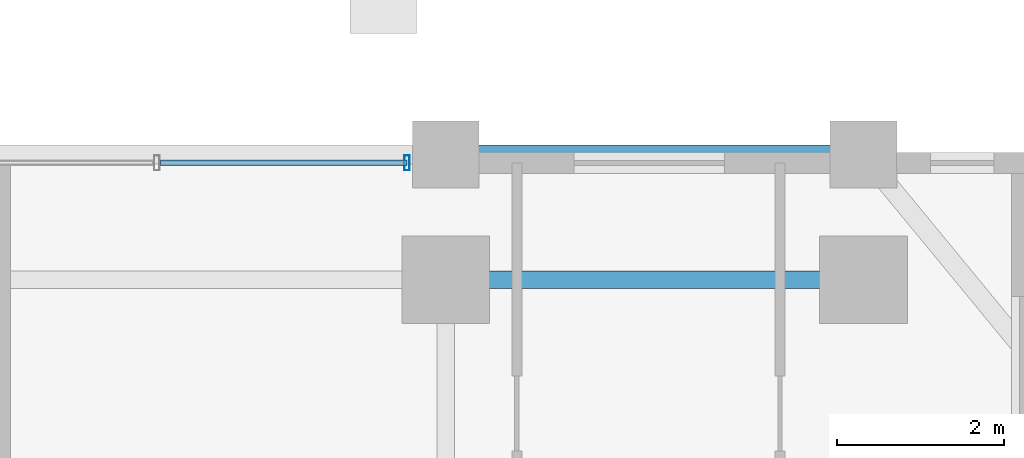
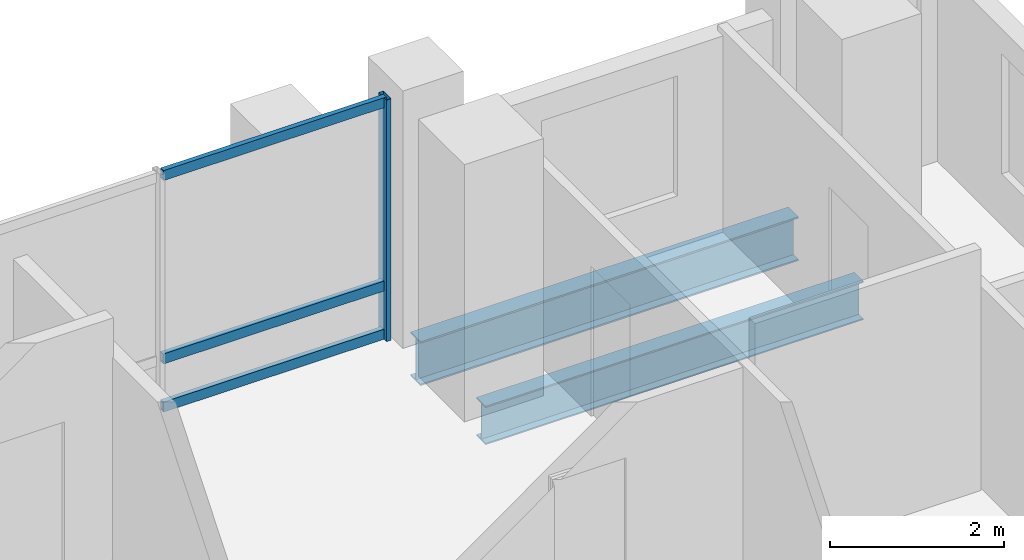
# One storey, part 16 of 24: 4 members, 2 beams, 1 element without a shape of its own.
"""IFC4 building model written with IfcOpenShell, lengths in metres."""

from ifc_helpers import new_model, si_unit, direction, frame, origin, origin_2d, place, context, subcontext, project, spatial, hollow_rectangle, i_section, extrude, material, layer, layer_set, material_profile, profile_set, type_object, element, aggregate, save


model = new_model("IFC4")

# Units and contexts
model_context = context("Model", 3, precision=1e-05, world=origin(), true_north=direction((0.0, 1.0)))
body_context = subcontext(model_context, "Body", "Model", "MODEL_VIEW")
ifc_project = project(units=[si_unit("LENGTHUNIT", "METRE"), si_unit("AREAUNIT", "SQUARE_METRE"), si_unit("VOLUMEUNIT", "CUBIC_METRE"), si_unit("PLANEANGLEUNIT", "RADIAN"), si_unit("MASSUNIT", "GRAM", prefix="KILO")], contexts=[model_context])

# Site, building, storey
site_placement = place(None, origin())
site = spatial("IfcSite", under=ifc_project, at=site_placement, CompositionType="ELEMENT")
building_placement = place(site_placement, origin())
building = spatial("IfcBuilding", under=site, at=building_placement, Name="Barlavira Tower and Art Museum", CompositionType="ELEMENT")
storey_placement = place(building_placement, frame((0.0, 0.0, 169.199951171875)))
storey = spatial("IfcBuildingStorey", under=building, at=storey_placement, Name="L43", CompositionType="ELEMENT", Elevation=169.199951171875)

# Curtain wall, members
ifc_material_1 = material(Name="Low-iron coastal laminated glass", Category="glass")
ifc_layer = layer(ifc_material_1, 0.199951171875, Name="Low-iron coastal laminated glass")
ifc_layer_set = layer_set([ifc_layer], Name="Low-iron coastal laminated glass")
curtain_wall_type = type_object("IfcCurtainWallType", Name="Pale-Metal Unitised Curtain Wall Zone 3", PredefinedType="NOTDEFINED", material=ifc_layer_set)
curtain_wall_placement = place(storey_placement, origin())
curtain_wall = element("IfcCurtainWall", 1, at=curtain_wall_placement, inside=storey, type_object=curtain_wall_type, Name="L43 Curtain Wall CW3-L43-N-B3", PredefinedType="NOTDEFINED")
ifc_material_2 = material(Name="Pale anodised aluminium", Category="aluminium")
ifc_material_profile_1 = material_profile(ifc_material_2, hollow_rectangle(XDim=0.06494140625, YDim=0.179931640625, WallThickness=0.00390625, at=origin_2d()), Name="ALU-MULL 65x180x4")
ifc_profile_set_1 = profile_set([ifc_material_profile_1], Name="Pale anodised aluminium")
member_type_1 = type_object("IfcMemberType", Name="Curtain Wall Pale-Metal Mullion 65x180", PredefinedType="MULLION", material=ifc_profile_set_1)
member_1_placement = place(storey_placement, frame((6.034912109375, 21.39990234375, 0.0), z_axis=(0.0, 0.0, 1.0), x_axis=(-1.0, 0.0, 0.0)))
member_1 = element("IfcMember", 2, at=member_1_placement, type_object=member_type_1, Name="CW3-L43-N-B3 Mullion 0", PredefinedType="MULLION", context=body_context, shape_type="SweptSolid", body=[
    extrude(hollow_rectangle(XDim=0.06494140625, YDim=0.179931640625, WallThickness=0.00390625, at=origin_2d()), origin(), (0.0, 0.0, 1.0), 3.380126953125),
])
ifc_material_profile_2 = material_profile(ifc_material_2, hollow_rectangle(XDim=0.06494140625, YDim=0.139892578125, WallThickness=0.00390625, at=origin_2d()), Name="ALU-TRAN 65x140x4")
ifc_profile_set_2 = profile_set([ifc_material_profile_2], Name="Pale anodised aluminium")
member_type_2 = type_object("IfcMemberType", Name="Curtain Wall Pale-Metal Transom 65x140", PredefinedType="USERDEFINED", material=ifc_profile_set_2)
member_2_placement = place(storey_placement, frame((6.034912109375, 21.39990234375, 0.070068359375), z_axis=(-1.0, 0.0, 0.0), x_axis=(0.0, -1.0, 0.0)))
member_2 = element("IfcMember", 3, at=member_2_placement, type_object=member_type_2, Name="CW3-L43-N-B3 Transom 0.1", ObjectType="TRANSOM", PredefinedType="USERDEFINED", context=body_context, shape_type="SweptSolid", body=[
    extrude(hollow_rectangle(XDim=0.06494140625, YDim=0.139892578125, WallThickness=0.00390625, at=origin_2d()), origin(), (0.0, 0.0, 1.0), 2.949951171875),
])
member_3_placement = place(storey_placement, frame((6.034912109375, 21.39990234375, 0.744140625), z_axis=(-1.0, 0.0, 0.0), x_axis=(0.0, -1.0, 0.0)))
member_3 = element("IfcMember", 4, at=member_3_placement, type_object=member_type_2, Name="CW3-L43-N-B3 Transom 0.2", ObjectType="TRANSOM", PredefinedType="USERDEFINED", context=body_context, shape_type="SweptSolid", body=[
    extrude(hollow_rectangle(XDim=0.06494140625, YDim=0.139892578125, WallThickness=0.00390625, at=origin_2d()), origin(), (0.0, 0.0, 1.0), 2.949951171875),
])
member_4_placement = place(storey_placement, frame((6.034912109375, 21.39990234375, 3.31005859375), z_axis=(-1.0, 0.0, 0.0), x_axis=(0.0, -1.0, 0.0)))
member_4 = element("IfcMember", 5, at=member_4_placement, type_object=member_type_2, Name="CW3-L43-N-B3 Transom 0.3", ObjectType="TRANSOM", PredefinedType="USERDEFINED", context=body_context, shape_type="SweptSolid", body=[
    extrude(hollow_rectangle(XDim=0.06494140625, YDim=0.139892578125, WallThickness=0.00390625, at=origin_2d()), origin(), (0.0, 0.0, 1.0), 2.949951171875),
])
aggregate(curtain_wall, [member_1, member_2, member_3, member_4])

# Beams
ifc_material_3 = material(Name="Steel S355", Category="steel")
ifc_material_profile_3 = material_profile(ifc_material_3, i_section(OverallWidth=0.22998046875, OverallDepth=0.616943359375, WebThickness=0.01318359375, FlangeThickness=0.022216796875, at=origin_2d()), Name="W610x140.0")
ifc_profile_set_3 = profile_set([ifc_material_profile_3], Name="Steel S355")
beam_type_1 = type_object("IfcBeamType", Name="Upper Shaft Spandrel Edge Beam W610x140 Steel S355", PredefinedType="SPANDREL", material=ifc_profile_set_3)
beam_1_placement = place(storey_placement, frame((6.5, 21.5, -0.528564453125), z_axis=(1.0, 0.0, 0.0), x_axis=(0.0, 1.0, 0.0)))
element("IfcBeam", 6, at=beam_1_placement, inside=storey, type_object=beam_type_1, Name="L43 Spandrel 9", PredefinedType="SPANDREL", context=body_context, shape_type="SweptSolid", body=[
    extrude(i_section(OverallWidth=0.22998046875, OverallDepth=0.616943359375, WebThickness=0.01318359375, FlangeThickness=0.022216796875, at=origin_2d()), origin(), (0.0, 0.0, 1.0), 5.0),
])
ifc_material_profile_4 = material_profile(ifc_material_3, i_section(OverallWidth=0.2109375, OverallDepth=0.5390625, WebThickness=0.01171875, FlangeThickness=0.018798828125, at=origin_2d()), Name="W530x109.0")
ifc_profile_set_4 = profile_set([ifc_material_profile_4], Name="Steel S355")
beam_type_2 = type_object("IfcBeamType", Name="Zone 3-4 Primary Floor Girder W530x109 Steel S355", PredefinedType="BEAM", material=ifc_profile_set_4)
beam_2_placement = place(storey_placement, frame((6.5, 20.0, -0.489501953125), z_axis=(1.0, 0.0, 0.0), x_axis=(0.0, 1.0, 0.0)))
element("IfcBeam", 7, at=beam_2_placement, inside=storey, type_object=beam_type_2, Name="L43 Girder M-N3", PredefinedType="BEAM", context=body_context, shape_type="SweptSolid", body=[
    extrude(i_section(OverallWidth=0.2109375, OverallDepth=0.5390625, WebThickness=0.01171875, FlangeThickness=0.018798828125, at=origin_2d()), origin(), (0.0, 0.0, 1.0), 5.0),
])

save(model, "model.ifc")
